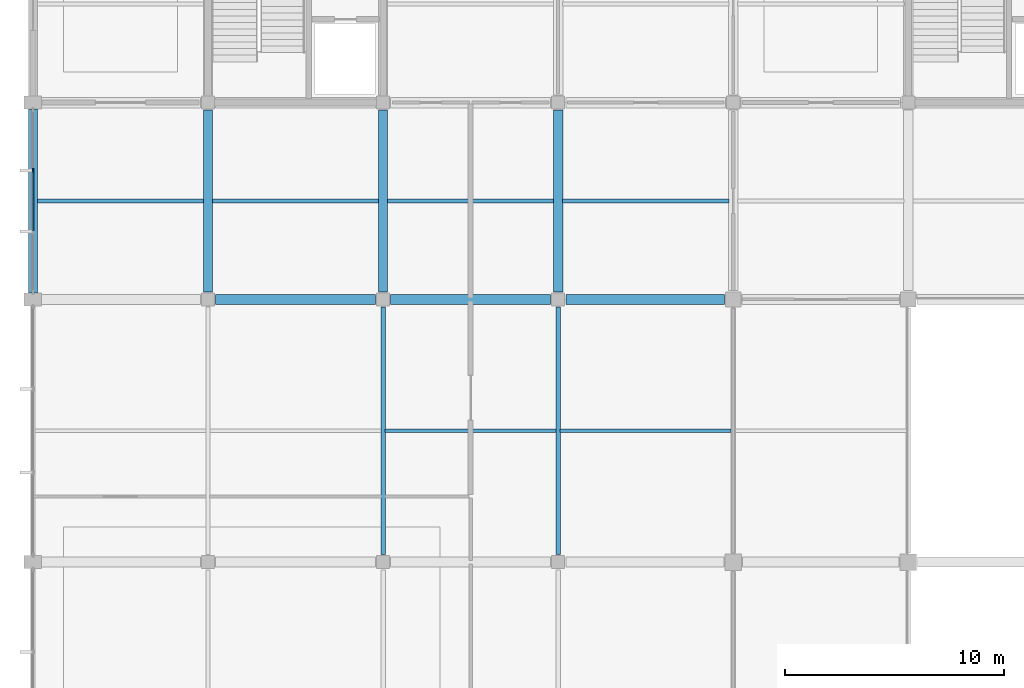
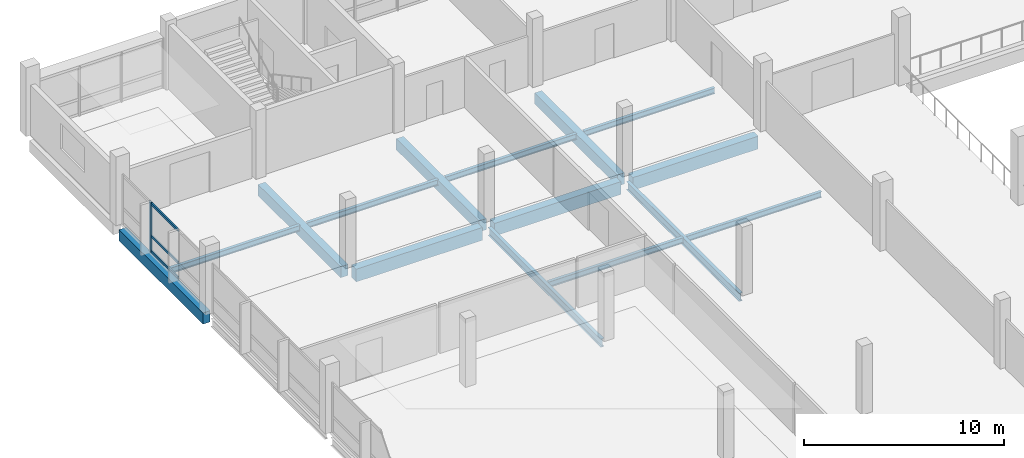
# One storey, part 12 of 57: 15 beams, 4 members, 1 element without a shape of its own.
"""IFC4 building model written with IfcOpenShell, lengths in metres."""

from ifc_helpers import new_model, si_unit, direction, frame, origin, origin_2d, place, context, subcontext, project, spatial, rectangle, i_section, extrude, material, material_profile, profile_set, type_object, element, aggregate, save


model = new_model("IFC4")

# Units and contexts
model_context = context("Model", 3, precision=1e-05, world=origin(), true_north=direction((0.0, 1.0)))
body_context = subcontext(model_context, "Body", "Model", "MODEL_VIEW")
ifc_project = project(units=[si_unit("LENGTHUNIT", "METRE"), si_unit("AREAUNIT", "SQUARE_METRE"), si_unit("VOLUMEUNIT", "CUBIC_METRE"), si_unit("PLANEANGLEUNIT", "RADIAN"), si_unit("MASSUNIT", "GRAM", prefix="KILO"), si_unit("THERMODYNAMICTEMPERATUREUNIT", "KELVIN"), si_unit("POWERUNIT", "WATT")], contexts=[model_context])

# Site, building, storey
site_placement = place(None, origin())
site = spatial("IfcSite", under=ifc_project, at=site_placement, CompositionType="ELEMENT")
building_placement = place(site_placement, origin())
building = spatial("IfcBuilding", under=site, at=building_placement, Name="Kronsvod Quay Wholesale Market", CompositionType="ELEMENT")
storey_placement = place(building_placement, frame((0.0, 0.0, 4.800048828125)))
storey = spatial("IfcBuildingStorey", under=building, at=storey_placement, Name="L01", CompositionType="ELEMENT", Elevation=4.800048828125)

# Beams
ifc_material_1 = material(Name="Precast concrete C40/50", Category="concrete")
ifc_material_profile_1 = material_profile(ifc_material_1, rectangle(XDim=0.419921875, YDim=0.679931640625, at=origin_2d()), Name="PB-05")
ifc_profile_set_1 = profile_set([ifc_material_profile_1], Name="Precast concrete C40/50")
beam_type_1 = type_object("IfcBeamType", Name="Beam_PCB420x680", PredefinedType="BEAM", material=ifc_profile_set_1)
beam_1_placement = place(storey_placement, frame((0.0, 90.300048828125, -0.64013671875), z_axis=(0.0, 1.0, 0.0), x_axis=(-1.0, 0.0, 0.0)))
element("IfcBeam", 1, at=beam_1_placement, inside=storey, type_object=beam_type_1, Name="BMY-L01-0-900", PredefinedType="BEAM", context=body_context, shape_type="SweptSolid", body=[
    extrude(rectangle(XDim=0.419921875, YDim=0.679931640625, at=origin_2d()), origin(), (0.0, 0.0, 1.0), 8.39990234375),
])
for number, where, z_axis, x_axis, name in (
    (2, (8.0, 90.35009765625, -0.64013671875), (0.0, 1.0, 0.0), (-1.0, 0.0, 0.0), "BMY-L01-80-900"),
    (3, (16.0, 90.35009765625, -0.64013671875), (0.0, 1.0, 0.0), (-1.0, 0.0, 0.0), "BMY-L01-160-900"),
    (4, (24.0, 90.35009765625, -0.64013671875), (0.0, 1.0, 0.0), (-1.0, 0.0, 0.0), "BMY-L01-240-900"),
):
    element("IfcBeam", number, at=place(storey_placement, frame(where, z_axis=z_axis, x_axis=x_axis)), inside=storey, type_object=beam_type_1, Name=name, PredefinedType="BEAM", context=body_context, shape_type="SweptSolid", body=[
        extrude(rectangle(XDim=0.419921875, YDim=0.679931640625, at=origin_2d()), origin(), (0.0, 0.0, 1.0), 8.2998046875),
    ])
ifc_material_2 = material(Name="Precast concrete C40/50", Category="concrete")
ifc_material_profile_2 = material_profile(ifc_material_2, rectangle(XDim=0.4599609375, YDim=0.780029296875, at=origin_2d()), Name="PB-03")
ifc_profile_set_2 = profile_set([ifc_material_profile_2], Name="Precast concrete C40/50")
beam_type_2 = type_object("IfcBeamType", Name="Beam_PCB460x780", PredefinedType="BEAM", material=ifc_profile_set_2)
for number, where, z_axis, x_axis, name in (
    (5, (8.35009765625, 90.0, -0.68994140625), (1.0, 0.0, 0.0), (0.0, 1.0, 0.0), "BMX-L01-80-900"),
    (6, (16.35009765625, 90.0, -0.68994140625), (1.0, 0.0, 0.0), (0.0, 1.0, 0.0), "BMX-L01-160-900"),
):
    element("IfcBeam", number, at=place(storey_placement, frame(where, z_axis=z_axis, x_axis=x_axis)), inside=storey, type_object=beam_type_2, Name=name, PredefinedType="BEAM", context=body_context, shape_type="SweptSolid", body=[
        extrude(rectangle(XDim=0.4599609375, YDim=0.780029296875, at=origin_2d()), origin(), (0.0, 0.0, 1.0), 7.2998046875),
    ])
beam_2_placement = place(storey_placement, frame((24.35009765625, 90.0, -0.68994140625), z_axis=(1.0, 0.0, 0.0), x_axis=(0.0, 1.0, 0.0)))
element("IfcBeam", 7, at=beam_2_placement, inside=storey, type_object=beam_type_2, Name="BMX-L01-240-900", PredefinedType="BEAM", context=body_context, shape_type="SweptSolid", body=[
    extrude(rectangle(XDim=0.4599609375, YDim=0.780029296875, at=origin_2d()), origin(), (0.0, 0.0, 1.0), 7.25),
])
ifc_material_3 = material(Name="Steel S355", Category="steel")
ifc_material_profile_3 = material_profile(ifc_material_3, i_section(OverallWidth=0.198974609375, OverallDepth=0.49609375, WebThickness=0.009033203125, FlangeThickness=0.013916015625, FilletRadius=0.02001953125, at=origin_2d()), Name="50B1")
ifc_profile_set_3 = profile_set([ifc_material_profile_3], Name="Steel S355")
beam_type_3 = type_object("IfcBeamType", Name="Girder_Steel50B1", PredefinedType="T_BEAM", material=ifc_profile_set_3)
for number, where, z_axis, x_axis, name in (
    (8, (16.0, 78.35009765625, -0.548095703125), (0.0, 1.0, 0.0), (-1.0, 0.0, 0.0), "BMY-L01-160-780"),
    (9, (24.0, 78.35009765625, -0.548095703125), (0.0, 1.0, 0.0), (-1.0, 0.0, 0.0), "BMY-L01-240-780"),
):
    element("IfcBeam", number, at=place(storey_placement, frame(where, z_axis=z_axis, x_axis=x_axis)), inside=storey, type_object=beam_type_3, Name=name, PredefinedType="T_BEAM", context=body_context, shape_type="SweptSolid", body=[
        extrude(i_section(OverallWidth=0.198974609375, OverallDepth=0.49609375, WebThickness=0.009033203125, FlangeThickness=0.013916015625, FilletRadius=0.02001953125, at=origin_2d()), origin(), (0.0, 0.0, 1.0), 11.2998046875),
    ])
ifc_material_4 = material(Name="Steel S355", Category="steel")
ifc_material_profile_4 = material_profile(ifc_material_4, i_section(OverallWidth=0.175048828125, OverallDepth=0.35009765625, WebThickness=0.007080078125, FlangeThickness=0.010986328125, FilletRadius=0.013916015625, at=origin_2d()), Name="35B2")
ifc_profile_set_4 = profile_set([ifc_material_profile_4], Name="Steel S355")
beam_type_4 = type_object("IfcBeamType", Name="Joist_Steel35B2", PredefinedType="JOIST", material=ifc_profile_set_4)
for number, where, z_axis, x_axis, name in (
    (10, (0.205078125, 94.5, -0.405029296875), (1.0, 0.0, 0.0), (0.0, 1.0, 0.0), "JSTX-L01-0-900"),
    (11, (8.205078125, 94.5, -0.405029296875), (1.0, 0.0, 0.0), (0.0, 1.0, 0.0), "JSTX-L01-80-900"),
):
    element("IfcBeam", number, at=place(storey_placement, frame(where, z_axis=z_axis, x_axis=x_axis)), inside=storey, type_object=beam_type_4, Name=name, PredefinedType="JOIST", context=body_context, shape_type="SweptSolid", body=[
        extrude(i_section(OverallWidth=0.175048828125, OverallDepth=0.35009765625, WebThickness=0.007080078125, FlangeThickness=0.010986328125, FilletRadius=0.013916015625, at=origin_2d()), origin(), (0.0, 0.0, 1.0), 7.58984375),
    ])
beam_3_placement = place(storey_placement, frame((16.094482421875, 84.0, -0.425048828125), z_axis=(1.0, 0.0, 0.0), x_axis=(0.0, 1.0, 0.0)))
element("IfcBeam", 12, at=beam_3_placement, inside=storey, type_object=beam_type_4, Name="JSTX-L01-160-780", PredefinedType="JOIST", context=body_context, shape_type="SweptSolid", body=[
    extrude(i_section(OverallWidth=0.175048828125, OverallDepth=0.35009765625, WebThickness=0.007080078125, FlangeThickness=0.010986328125, FilletRadius=0.013916015625, at=origin_2d()), origin(), (0.0, 0.0, 1.0), 7.81103515625),
])
beam_4_placement = place(storey_placement, frame((16.205078125, 94.5, -0.405029296875), z_axis=(1.0, 0.0, 0.0), x_axis=(0.0, 1.0, 0.0)))
element("IfcBeam", 13, at=beam_4_placement, inside=storey, type_object=beam_type_4, Name="JSTX-L01-160-900", PredefinedType="JOIST", context=body_context, shape_type="SweptSolid", body=[
    extrude(i_section(OverallWidth=0.175048828125, OverallDepth=0.35009765625, WebThickness=0.007080078125, FlangeThickness=0.010986328125, FilletRadius=0.013916015625, at=origin_2d()), origin(), (0.0, 0.0, 1.0), 7.58984375),
])
beam_5_placement = place(storey_placement, frame((24.094482421875, 84.0, -0.425048828125), z_axis=(1.0, 0.0, 0.0), x_axis=(0.0, 1.0, 0.0)))
element("IfcBeam", 14, at=beam_5_placement, inside=storey, type_object=beam_type_4, Name="JSTX-L01-240-780", PredefinedType="JOIST", context=body_context, shape_type="SweptSolid", body=[
    extrude(i_section(OverallWidth=0.175048828125, OverallDepth=0.35009765625, WebThickness=0.007080078125, FlangeThickness=0.010986328125, FilletRadius=0.013916015625, at=origin_2d()), origin(), (0.0, 0.0, 1.0), 7.81103515625),
])
beam_6_placement = place(storey_placement, frame((24.205078125, 94.5, -0.405029296875), z_axis=(1.0, 0.0, 0.0), x_axis=(0.0, 1.0, 0.0)))
element("IfcBeam", 15, at=beam_6_placement, inside=storey, type_object=beam_type_4, Name="JSTX-L01-240-900", PredefinedType="JOIST", context=body_context, shape_type="SweptSolid", body=[
    extrude(i_section(OverallWidth=0.175048828125, OverallDepth=0.35009765625, WebThickness=0.007080078125, FlangeThickness=0.010986328125, FilletRadius=0.013916015625, at=origin_2d()), origin(), (0.0, 0.0, 1.0), 7.58984375),
])

# Curtain wall, members
ifc_material_5 = material(Name="Thermally broken aluminium and triple low-E glazing", Category="aluminium")
curtain_wall_type = type_object("IfcCurtainWallType", Name="CW_Wing90x33", PredefinedType="NOTDEFINED", material=ifc_material_5)
curtain_wall_placement = place(storey_placement, origin())
curtain_wall = element("IfcCurtainWall", 16, at=curtain_wall_placement, inside=storey, type_object=curtain_wall_type, Name="CWGY-L01-0-900", PredefinedType="NOTDEFINED")
ifc_material_6 = material(Name="Anodised aluminium", Category="aluminium")
ifc_material_profile_5 = material_profile(ifc_material_6, rectangle(XDim=0.074951171875, YDim=0.199951171875, at=origin_2d()), Name="ALUM75x200")
ifc_profile_set_5 = profile_set([ifc_material_profile_5], Name="Anodised aluminium")
member_type_1 = type_object("IfcMemberType", Name="Mullion_ALU75x200", PredefinedType="MULLION", material=ifc_profile_set_5)
member_1_placement = place(storey_placement, frame((0.0, 95.901611328125, 0.0), z_axis=(0.0, 0.0, 1.0), x_axis=(1.0, 0.0, 0.0)))
member_1 = element("IfcMember", 17, at=member_1_placement, type_object=member_type_1, Name="CWGY-L01-0-900-M2", PredefinedType="MULLION", context=body_context, shape_type="SweptSolid", body=[
    extrude(rectangle(XDim=0.074951171875, YDim=0.199951171875, at=origin_2d()), origin(), (0.0, 0.0, 1.0), 3.050048828125),
])
ifc_material_7 = material(Name="Anodised aluminium", Category="aluminium")
ifc_material_profile_6 = material_profile(ifc_material_7, rectangle(XDim=0.074951171875, YDim=0.14990234375, at=origin_2d()), Name="ALUT75x150")
ifc_profile_set_6 = profile_set([ifc_material_profile_6], Name="Anodised aluminium")
member_type_2 = type_object("IfcMemberType", Name="Transom_ALU75x150", PredefinedType="USERDEFINED", material=ifc_profile_set_6)
member_2_placement = place(storey_placement, frame((0.0, 95.8642578125, 0.074951171875), z_axis=(0.0, -1.0, 0.0), x_axis=(1.0, 0.0, 0.0)))
member_2 = element("IfcMember", 18, at=member_2_placement, type_object=member_type_2, Name="CWGY-L01-0-900-T1B2", ObjectType="TRANSOM", PredefinedType="USERDEFINED", context=body_context, shape_type="SweptSolid", body=[
    extrude(rectangle(XDim=0.074951171875, YDim=0.14990234375, at=origin_2d()), origin(), (0.0, 0.0, 1.0), 2.728515625),
])
member_3_placement = place(storey_placement, frame((0.0, 95.8642578125, 1.0), z_axis=(0.0, -1.0, 0.0), x_axis=(1.0, 0.0, 0.0)))
member_3 = element("IfcMember", 19, at=member_3_placement, type_object=member_type_2, Name="CWGY-L01-0-900-T2B2", ObjectType="TRANSOM", PredefinedType="USERDEFINED", context=body_context, shape_type="SweptSolid", body=[
    extrude(rectangle(XDim=0.074951171875, YDim=0.14990234375, at=origin_2d()), origin(), (0.0, 0.0, 1.0), 2.728515625),
])
member_4_placement = place(storey_placement, frame((0.0, 95.8642578125, 2.974853515625), z_axis=(0.0, -1.0, 0.0), x_axis=(1.0, 0.0, 0.0)))
member_4 = element("IfcMember", 20, at=member_4_placement, type_object=member_type_2, Name="CWGY-L01-0-900-T3B2", ObjectType="TRANSOM", PredefinedType="USERDEFINED", context=body_context, shape_type="SweptSolid", body=[
    extrude(rectangle(XDim=0.074951171875, YDim=0.14990234375, at=origin_2d()), origin(), (0.0, 0.0, 1.0), 2.728515625),
])
aggregate(curtain_wall, [member_1, member_2, member_3, member_4])

save(model, "model.ifc")
